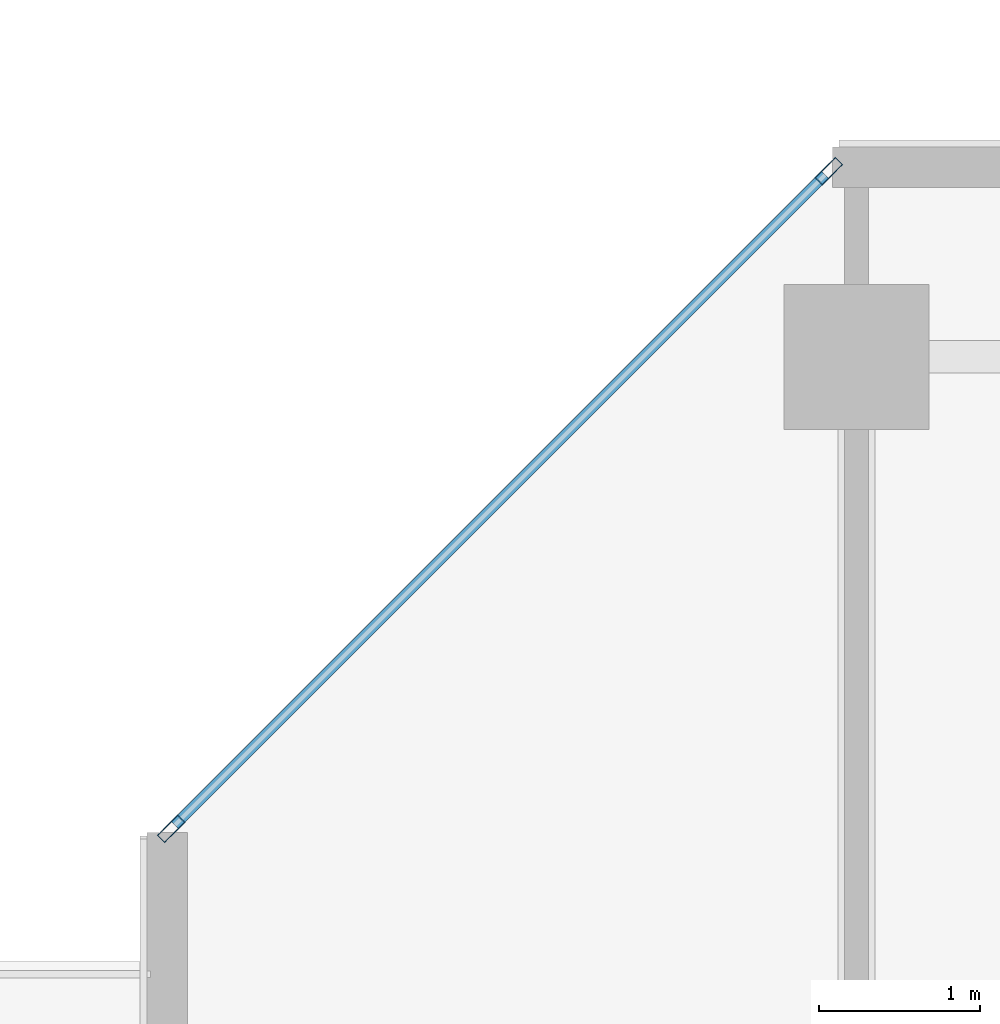
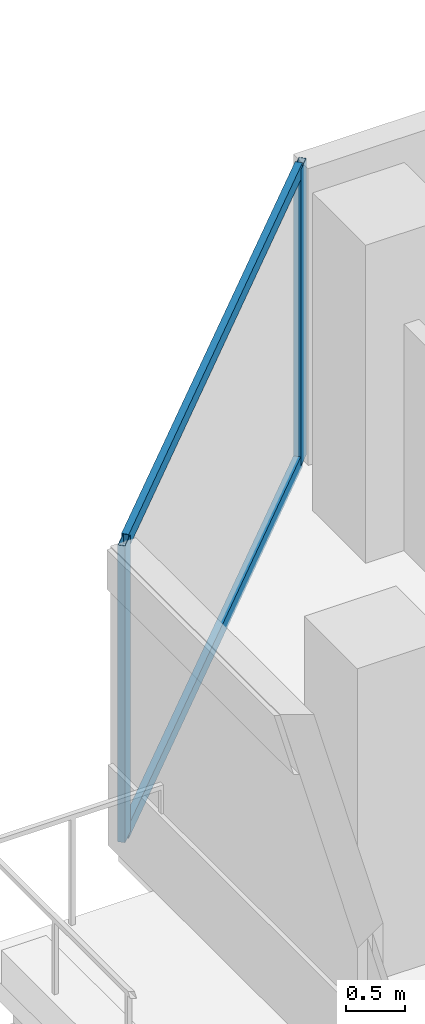
# One storey, part 8 of 29: 4 members, 1 element without a shape of its own.
"""IFC4 building model written with IfcOpenShell, lengths in metres."""

from ifc_helpers import new_model, si_unit, direction, frame, origin, origin_2d, place, context, subcontext, project, spatial, hollow_rectangle, extrude, material, layer, layer_set, material_profile, profile_set, type_object, element, aggregate, save


model = new_model("IFC4")

# Units and contexts
model_context = context("Model", 3, precision=1e-05, world=origin(), true_north=direction((0.0, 1.0)))
body_context = subcontext(model_context, "Body", "Model", "MODEL_VIEW")
ifc_project = project(units=[si_unit("LENGTHUNIT", "METRE"), si_unit("AREAUNIT", "SQUARE_METRE"), si_unit("VOLUMEUNIT", "CUBIC_METRE"), si_unit("PLANEANGLEUNIT", "RADIAN"), si_unit("MASSUNIT", "GRAM", prefix="KILO")], contexts=[model_context])

# Site, building, storey
site_placement = place(None, origin())
site = spatial("IfcSite", under=ifc_project, at=site_placement, CompositionType="ELEMENT")
building_placement = place(site_placement, origin())
building = spatial("IfcBuilding", under=site, at=building_placement, Name="Tanjung Sevakor Pilgrim Tower", CompositionType="ELEMENT")
storey_placement = place(building_placement, frame((0.0, 0.0, 151.800048828125)))
storey = spatial("IfcBuildingStorey", under=building, at=storey_placement, Name="L42", CompositionType="ELEMENT", Elevation=151.800048828125)

# Curtain wall, members
ifc_material_1 = material(Name="Aluminium 6063-T6 and Low-E Glass", Category="aluminium")
ifc_layer = layer(ifc_material_1, 0.179931640625)
ifc_layer_set = layer_set([ifc_layer], Name="CW-SYS-CHAM")
curtain_wall_type = type_object("IfcCurtainWallType", Name="CW-SYS-CHAM", PredefinedType="NOTDEFINED", material=ifc_layer_set)
curtain_wall_placement = place(storey_placement, origin())
curtain_wall = element("IfcCurtainWall", 1, at=curtain_wall_placement, inside=storey, type_object=curtain_wall_type, Name="L42 Curtain Wall CW-CHM-L42-MAIN-13", PredefinedType="NOTDEFINED")
ifc_material_2 = material(Name="Aluminium 6063-T6", Category="aluminium")
ifc_material_profile_1 = material_profile(ifc_material_2, hollow_rectangle(XDim=0.06494140625, YDim=0.179931640625, WallThickness=0.00390625, at=origin_2d()))
ifc_profile_set_1 = profile_set([ifc_material_profile_1], Name="Aluminium 6063-T6")
member_type_1 = type_object("IfcMemberType", Name="TYPE-CWM-1", PredefinedType="MULLION", material=ifc_profile_set_1)
member_1_placement = place(storey_placement, frame((23.828857421875, 55.152099609375, 0.0), z_axis=(0.0, 0.0, 1.0), x_axis=(0.707106781187, -0.707106781187, 0.0)))
member_1 = element("IfcMember", 2, at=member_1_placement, type_object=member_type_1, Name="CW-CHM mullion 1", PredefinedType="MULLION", context=body_context, shape_type="SweptSolid", body=[
    extrude(hollow_rectangle(XDim=0.06494140625, YDim=0.179931640625, WallThickness=0.00390625, at=origin_2d()), origin(), (0.0, 0.0, 1.0), 3.079833984375),
])
member_2_placement = place(storey_placement, frame((19.748046875, 51.0712890625, 0.0), z_axis=(0.0, 0.0, 1.0), x_axis=(0.707106781187, -0.707106781187, 0.0)))
member_2 = element("IfcMember", 3, at=member_2_placement, type_object=member_type_1, Name="CW-CHM mullion 2", PredefinedType="MULLION", context=body_context, shape_type="SweptSolid", body=[
    extrude(hollow_rectangle(XDim=0.06494140625, YDim=0.179931640625, WallThickness=0.00390625, at=origin_2d()), origin(), (0.0, 0.0, 1.0), 3.079833984375),
])
ifc_material_3 = material(Name="Aluminium 6063-T6", Category="aluminium")
ifc_material_profile_2 = material_profile(ifc_material_3, hollow_rectangle(XDim=0.06494140625, YDim=0.139892578125, WallThickness=0.00390625, at=origin_2d()))
ifc_profile_set_2 = profile_set([ifc_material_profile_2], Name="Aluminium 6063-T6")
member_type_2 = type_object("IfcMemberType", Name="TYPE-CWT-1", PredefinedType="USERDEFINED", material=ifc_profile_set_2)
member_3_placement = place(storey_placement, frame((23.805908203125, 55.129150390625, 0.032470703125), z_axis=(-0.707106781187, -0.707106781187, 0.0), x_axis=(0.707106781187, -0.707106781187, 0.0)))
member_3 = element("IfcMember", 4, at=member_3_placement, type_object=member_type_2, Name="CW-CHM transom 1.1", ObjectType="TRANSOM", PredefinedType="USERDEFINED", context=body_context, shape_type="SweptSolid", body=[
    extrude(hollow_rectangle(XDim=0.06494140625, YDim=0.139892578125, WallThickness=0.00390625, at=origin_2d()), origin(), (0.0, 0.0, 1.0), 5.706298828125),
])
member_4_placement = place(storey_placement, frame((23.805908203125, 55.129150390625, 3.04736328125), z_axis=(-0.707106781187, -0.707106781187, 0.0), x_axis=(0.707106781187, -0.707106781187, 0.0)))
member_4 = element("IfcMember", 5, at=member_4_placement, type_object=member_type_2, Name="CW-CHM transom 1.2", ObjectType="TRANSOM", PredefinedType="USERDEFINED", context=body_context, shape_type="SweptSolid", body=[
    extrude(hollow_rectangle(XDim=0.06494140625, YDim=0.139892578125, WallThickness=0.00390625, at=origin_2d()), origin(), (0.0, 0.0, 1.0), 5.706298828125),
])
aggregate(curtain_wall, [member_1, member_2, member_3, member_4])

save(model, "model.ifc")
